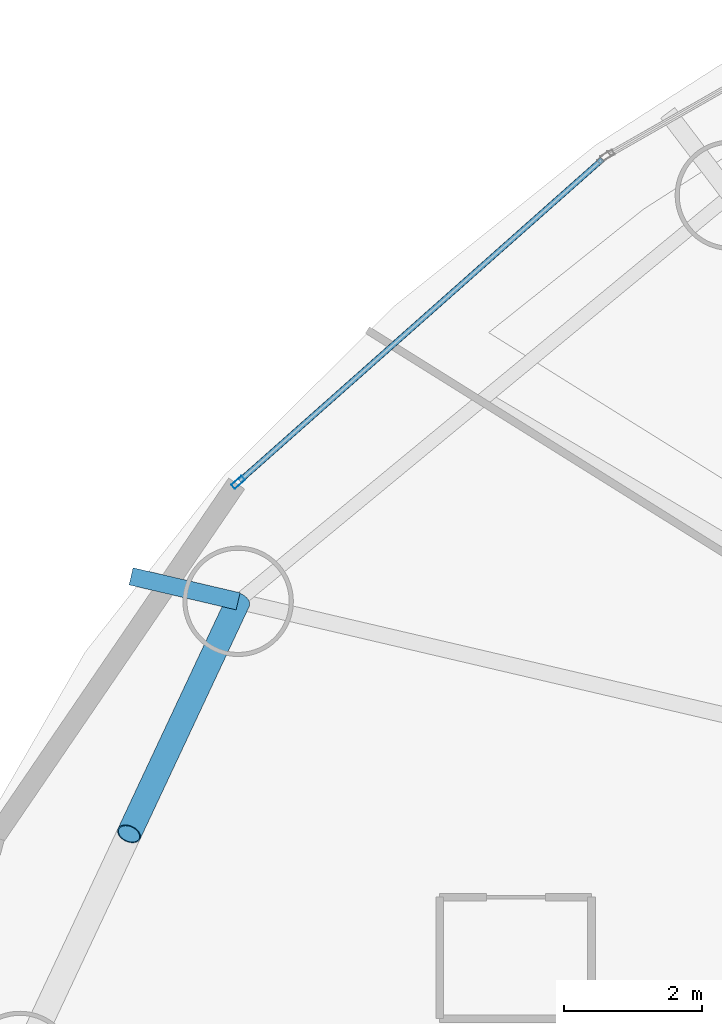
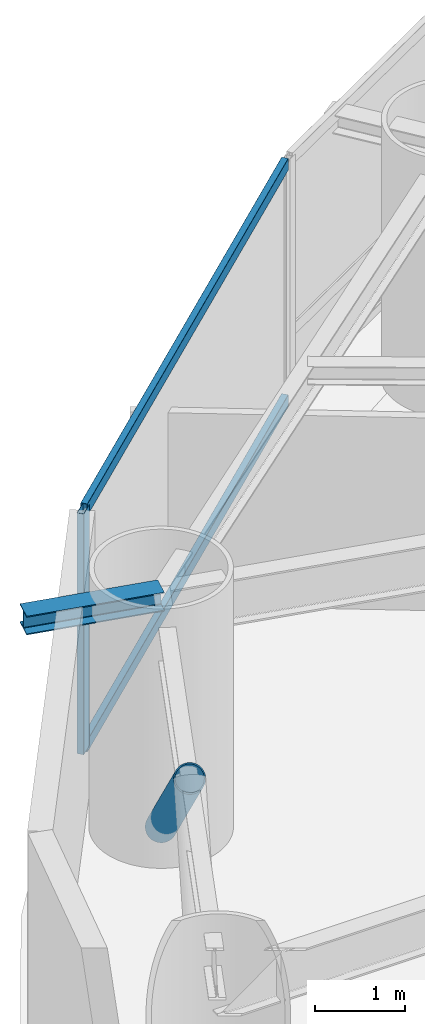
# One storey, part 11 of 26: 4 members, 1 beam, 1 element without a shape of its own.
"""IFC4 building model written with IfcOpenShell, lengths in metres."""

from ifc_helpers import new_model, si_unit, direction, frame, origin, origin_2d, place, context, subcontext, project, spatial, hollow_rectangle, hollow_circle, i_section, extrude, material, layer, layer_set, material_profile, profile_set, type_object, element, aggregate, save


model = new_model("IFC4")

# Units and contexts
model_context = context("Model", 3, precision=1e-05, world=origin(), true_north=direction((0.0, 1.0)))
body_context = subcontext(model_context, "Body", "Model", "MODEL_VIEW")
ifc_project = project(units=[si_unit("LENGTHUNIT", "METRE"), si_unit("AREAUNIT", "SQUARE_METRE"), si_unit("VOLUMEUNIT", "CUBIC_METRE"), si_unit("PLANEANGLEUNIT", "RADIAN"), si_unit("MASSUNIT", "GRAM", prefix="KILO")], contexts=[model_context])

# Site, building, storey
site_placement = place(None, origin())
site = spatial("IfcSite", under=ifc_project, at=site_placement, CompositionType="ELEMENT")
building_placement = place(site_placement, origin())
building = spatial("IfcBuilding", under=site, at=building_placement, Name="Bramvorn Convention Spire", CompositionType="ELEMENT")
storey_placement = place(building_placement, frame((0.0, 0.0, 51.89990234375)))
storey = spatial("IfcBuildingStorey", under=building, at=storey_placement, Name="L10", CompositionType="ELEMENT", Elevation=51.89990234375)

# Beam
ifc_material_1 = material(Name="Steel CSA G40.21 Grade 350 (350W)", Category="steel")
ifc_material_profile_1 = material_profile(ifc_material_1, i_section(OverallWidth=0.25390625, OverallDepth=0.2529296875, WebThickness=0.008544921875, FlangeThickness=0.01416015625, FilletRadius=0.011962890625, at=origin_2d()))
ifc_profile_set_1 = profile_set([ifc_material_profile_1], Name="Steel CSA G40.21 Grade 350 (350W) - W250X73")
beam_type = type_object("IfcBeamType", Name="BM-W250X73", PredefinedType="BEAM", material=ifc_profile_set_1)
beam_placement = place(storey_placement, frame((12.64111328125, 36.746337890625, 3.12353515625), z_axis=(-0.973795943825, 0.227423525148, 0.0), x_axis=(-0.227423525148, -0.973795943825, 0.0)))
element("IfcBeam", 1, at=beam_placement, inside=storey, type_object=beam_type, Name="L10 slab-edge cantilever tip beam MC08", PredefinedType="BEAM", context=body_context, shape_type="SweptSolid", body=[
    extrude(i_section(OverallWidth=0.25390625, OverallDepth=0.2529296875, WebThickness=0.008544921875, FlangeThickness=0.01416015625, FilletRadius=0.011962890625, at=origin_2d()), origin(), (0.0, 0.0, 1.0), 1.592041015625),
])

# Curtain wall, members
ifc_material_2 = material(Name="Anodised Bronze Unitised Curtain Wall", Category="aluminium")
ifc_layer = layer(ifc_material_2, 0.179931640625)
ifc_layer_set = layer_set([ifc_layer], Name="Anodised Bronze Unitised Curtain Wall - CW-HTL-FRIT")
curtain_wall_type = type_object("IfcCurtainWallType", Name="CW-HTL-FRIT", PredefinedType="USERDEFINED", material=ifc_layer_set)
curtain_wall_placement = place(storey_placement, origin())
curtain_wall = element("IfcCurtainWall", 2, at=curtain_wall_placement, inside=storey, type_object=curtain_wall_type, Name="L10 fritted glass curtain wall 10", ObjectType="UNITISED CURTAIN WALL", PredefinedType="USERDEFINED")
ifc_material_3 = material(Name="Anodised Bronze Aluminium 6063-T6", Category="aluminium")
ifc_material_profile_2 = material_profile(ifc_material_3, hollow_rectangle(XDim=0.080078125, YDim=0.199951171875, WallThickness=0.00390625, InnerFilletRadius=0.0009765625, OuterFilletRadius=0.00390625, at=origin_2d()))
ifc_profile_set_2 = profile_set([ifc_material_profile_2], Name="Anodised Bronze Aluminium 6063-T6 - CWM80X200")
member_type_1 = type_object("IfcMemberType", Name="CW-MUL-180", PredefinedType="MULLION", material=ifc_profile_set_2)
member_1_placement = place(storey_placement, frame((12.642822265625, 38.4716796875, 0.0), z_axis=(0.0, 0.0, 1.0), x_axis=(-0.6634431048, 0.748226734816, 0.0)))
member_1 = element("IfcMember", 3, at=member_1_placement, type_object=member_type_1, Name="CW2 mullion 1", PredefinedType="MULLION", context=body_context, shape_type="SweptSolid", body=[
    extrude(hollow_rectangle(XDim=0.080078125, YDim=0.199951171875, WallThickness=0.00390625, InnerFilletRadius=0.0009765625, OuterFilletRadius=0.00390625, at=origin_2d()), origin(), (0.0, 0.0, 1.0), 3.25),
])
ifc_material_profile_3 = material_profile(ifc_material_3, hollow_rectangle(XDim=0.080078125, YDim=0.159912109375, WallThickness=0.00390625, InnerFilletRadius=0.0009765625, OuterFilletRadius=0.00390625, at=origin_2d()))
ifc_profile_set_3 = profile_set([ifc_material_profile_3], Name="Anodised Bronze Aluminium 6063-T6 - CWT80X160")
member_type_2 = type_object("IfcMemberType", Name="CW-TRN-150", PredefinedType="USERDEFINED", material=ifc_profile_set_3)
member_2_placement = place(storey_placement, frame((12.665283203125, 38.49169921875, 0.030029296875), z_axis=(0.7482296625, 0.663439802962, 0.0), x_axis=(-0.663439802962, 0.7482296625, 0.0)))
member_2 = element("IfcMember", 4, at=member_2_placement, type_object=member_type_2, Name="CW2 transom 1.1", ObjectType="TRANSOM", PredefinedType="USERDEFINED", context=body_context, shape_type="SweptSolid", body=[
    extrude(hollow_rectangle(XDim=0.080078125, YDim=0.159912109375, WallThickness=0.00390625, InnerFilletRadius=0.0009765625, OuterFilletRadius=0.00390625, at=origin_2d()), origin(), (0.0, 0.0, 1.0), 7.022705078125),
])
member_3_placement = place(storey_placement, frame((12.665283203125, 38.49169921875, 3.22021484375), z_axis=(0.7482296625, 0.663439802962, 0.0), x_axis=(-0.663439802962, 0.7482296625, 0.0)))
member_3 = element("IfcMember", 5, at=member_3_placement, type_object=member_type_2, Name="CW2 transom 1.2", ObjectType="TRANSOM", PredefinedType="USERDEFINED", context=body_context, shape_type="SweptSolid", body=[
    extrude(hollow_rectangle(XDim=0.080078125, YDim=0.159912109375, WallThickness=0.00390625, InnerFilletRadius=0.0009765625, OuterFilletRadius=0.00390625, at=origin_2d()), origin(), (0.0, 0.0, 1.0), 7.022705078125),
])
aggregate(curtain_wall, [member_1, member_2, member_3])

# Member
ifc_material_profile_4 = material_profile(ifc_material_1, hollow_circle(Radius=0.177734375, WallThickness=0.015869140625, at=origin_2d()))
ifc_profile_set_4 = profile_set([ifc_material_profile_4], Name="Steel CSA G40.21 Grade 350 (350W) - CHS356X16")
member_type_3 = type_object("IfcMemberType", Name="MBR-CHS356X16", PredefinedType="BRACE", material=ifc_profile_set_4)
member_4_placement = place(storey_placement, frame((12.64111328125, 36.746337890625, 0.0), z_axis=(-0.319854623913, -0.681908513826, 0.65779464754), x_axis=(0.905351753695, -0.424662456643, 0.0)))
element("IfcMember", 6, at=member_4_placement, inside=storey, type_object=member_type_3, Name="L10 perimeter Gothic lancet brace 8A", PredefinedType="BRACE", context=body_context, shape_type="SweptSolid", body=[
    extrude(hollow_circle(Radius=0.177734375, WallThickness=0.015869140625, at=origin_2d()), origin(), (0.0, 0.0, 1.0), 4.940673828125),
])

save(model, "model.ifc")
